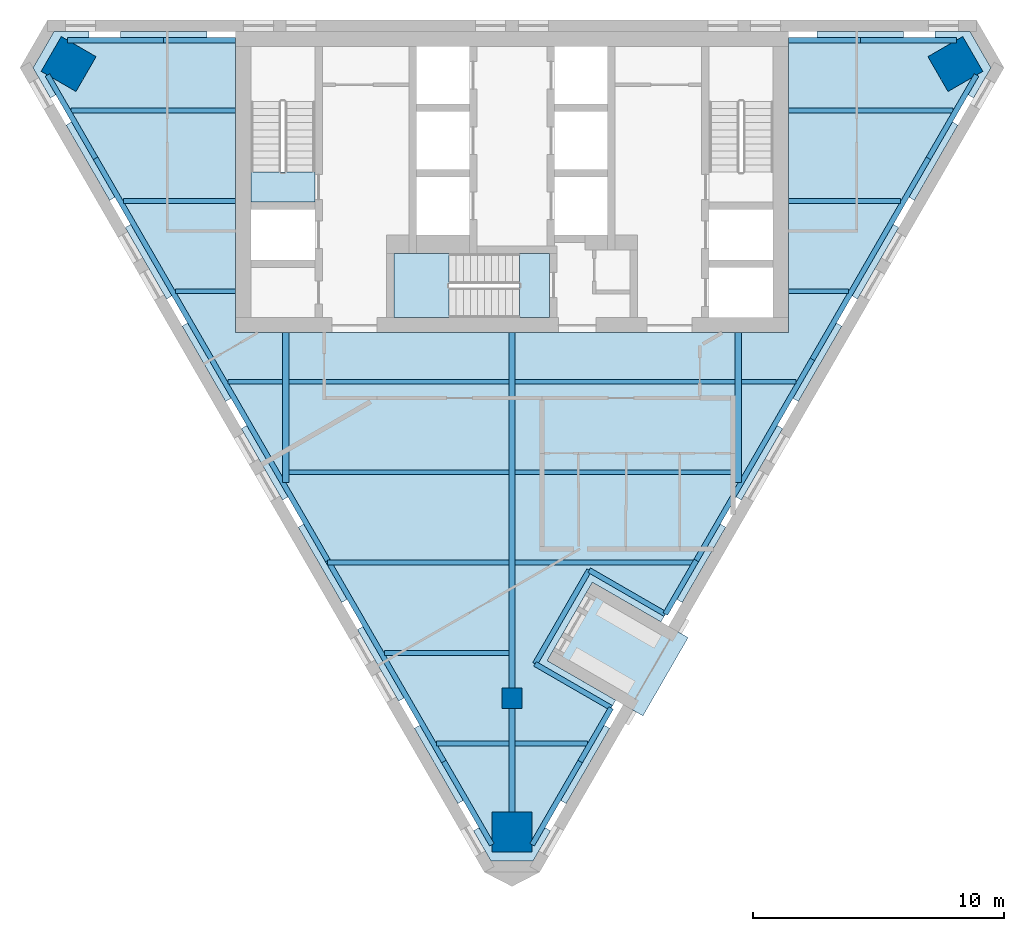
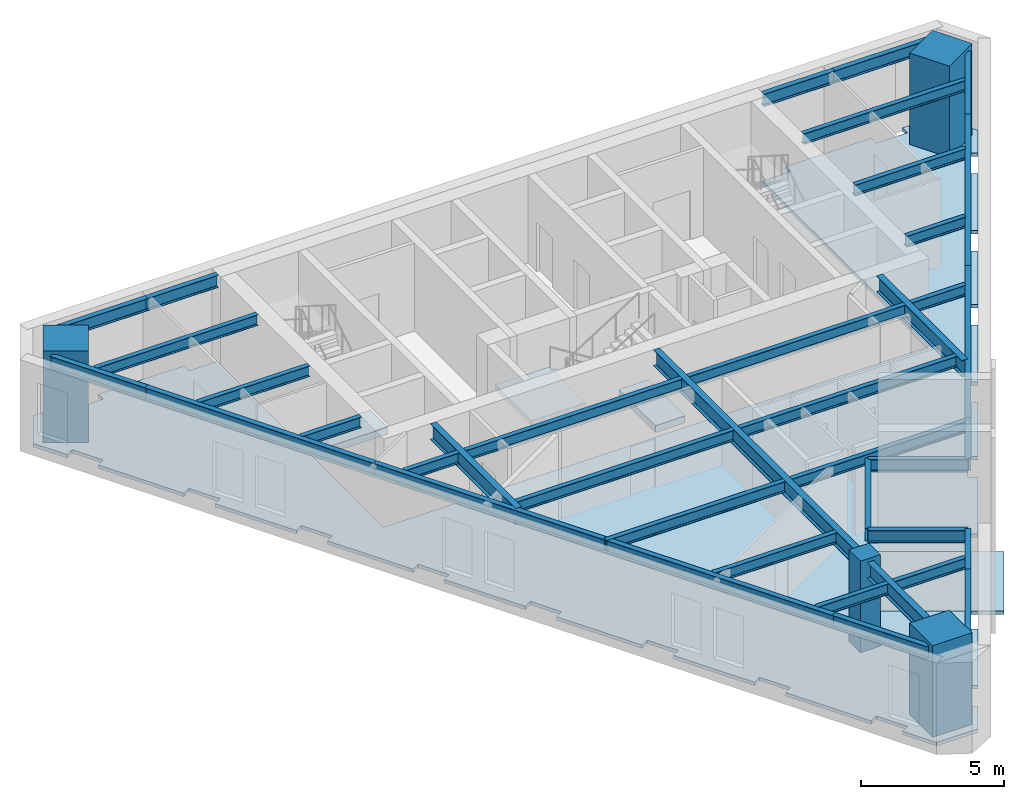
# One storey, part 1 of 6: 39 beams, 5 slabs, 4 columns, 1 element without a shape of its own.
"""IFC4 building model written with IfcOpenShell, lengths in metres."""

from ifc_helpers import new_model, si_unit, direction, frame, origin, origin_2d, place, context, subcontext, project, spatial, polyline, rectangle, i_section, outline, extrude, material, layer, layer_set, material_profile, profile_set, type_object, element, aggregate, save


model = new_model("IFC4")

# Units and contexts
model_context = context("Model", 3, precision=1e-05, world=origin(), true_north=direction((0.0, 1.0)))
body_context = subcontext(model_context, "Body", "Model", "MODEL_VIEW")
ifc_project = project(units=[si_unit("LENGTHUNIT", "METRE"), si_unit("AREAUNIT", "SQUARE_METRE"), si_unit("VOLUMEUNIT", "CUBIC_METRE"), si_unit("PLANEANGLEUNIT", "RADIAN"), si_unit("MASSUNIT", "GRAM", prefix="KILO")], contexts=[model_context])

# Site, building, storey
site_placement = place(None, origin())
site = spatial("IfcSite", under=ifc_project, at=site_placement, CompositionType="ELEMENT")
building_placement = place(site_placement, origin())
building = spatial("IfcBuilding", under=site, at=building_placement, Name="Aloe Facet Convention Tower", CompositionType="ELEMENT")
storey_placement = place(building_placement, frame((0.0, 0.0, 273.800048828125)))
storey = spatial("IfcBuildingStorey", under=building, at=storey_placement, Name="L67", CompositionType="ELEMENT", Elevation=273.800048828125)

# Columns
ifc_material_1 = material(Name="Concrete C70/85", Category="concrete")
ifc_material_profile_1 = material_profile(ifc_material_1, rectangle(XDim=0.800048828125, YDim=0.800048828125, at=origin_2d()), Name="SF-GC-Z5")
ifc_profile_set_1 = profile_set([ifc_material_profile_1], Name="Concrete C70/85")
column_type_1 = type_object("IfcColumnType", Name="SF-GC-Z5", PredefinedType="COLUMN", material=ifc_profile_set_1)
column_placement = place(storey_placement, frame((80.0, 108.0, 0.0), z_axis=(0.0, 0.0, 1.0), x_axis=(1.0, 0.0, 0.0)))
element("IfcColumn", 1, at=column_placement, inside=storey, type_object=column_type_1, Name="Gravity column GC-Z5-9D", PredefinedType="COLUMN", context=body_context, shape_type="SweptSolid", body=[
    extrude(rectangle(XDim=0.800048828125, YDim=0.800048828125, at=origin_2d()), origin(), (0.0, 0.0, 1.0), 3.89990234375),
])
ifc_material_2 = material(Name="Concrete C80/95", Category="concrete")
ifc_material_profile_2 = material_profile(ifc_material_2, rectangle(XDim=1.60009765625, YDim=1.60009765625, at=origin_2d()), Name="STW-MC-Z5")
ifc_profile_set_2 = profile_set([ifc_material_profile_2], Name="Concrete C80/95")
column_type_2 = type_object("IfcColumnType", Name="STW-MC-Z5", PredefinedType="COLUMN", material=ifc_profile_set_2)
for number, where, z_axis, x_axis, name in (
    (2, (97.650634765625, 133.247314453125, 0.0), (0.0, 0.0, 1.0), (-0.5, 0.866025403784, 0.0), "Mega-column MC-NE-L67"),
    (3, (62.349365234375, 133.247314453125, 0.0), (0.0, 0.0, 1.0), (-0.5, -0.866025403784, 0.0), "Mega-column MC-NW-L67"),
    (4, (80.0, 102.67578125, 0.0), (0.0, 0.0, 1.0), (1.0, 0.0, 0.0), "Mega-column MC-S-L67"),
):
    element("IfcColumn", number, at=place(storey_placement, frame(where, z_axis=z_axis, x_axis=x_axis)), inside=storey, type_object=column_type_2, Name=name, PredefinedType="COLUMN", context=body_context, shape_type="SweptSolid", body=[
        extrude(rectangle(XDim=1.60009765625, YDim=1.60009765625, at=origin_2d()), origin(), (0.0, 0.0, 1.0), 3.89990234375),
    ])

# Beams
ifc_material_3 = material(Name="Steel S355", Category="steel")
ifc_material_profile_3 = material_profile(ifc_material_3, i_section(OverallWidth=0.19140625, OverallDepth=0.4599609375, WebThickness=0.010009765625, FlangeThickness=0.01611328125, FilletRadius=0.01025390625, at=origin_2d()), Name="UB 457x191x82")
ifc_profile_set_3 = profile_set([ifc_material_profile_3], Name="Steel S355")
beam_type_1 = type_object("IfcBeamType", Name="SF-B-UB457x191x82", PredefinedType="BEAM", material=ifc_profile_set_3)
beam_1_placement = place(storey_placement, frame((62.452392578125, 131.39990234375, 3.52001953125), z_axis=(1.0, 0.0, 0.0), x_axis=(0.0, 1.0, 0.0)))
element("IfcBeam", 5, at=beam_1_placement, inside=storey, type_object=beam_type_1, Name="Floor beam FB-Z5H-023", PredefinedType="BEAM", context=body_context, shape_type="SweptSolid", body=[
    extrude(i_section(OverallWidth=0.19140625, OverallDepth=0.4599609375, WebThickness=0.010009765625, FlangeThickness=0.01611328125, FilletRadius=0.01025390625, at=origin_2d()), origin(), (0.0, 0.0, 1.0), 6.547607421875),
])
beam_2_placement = place(storey_placement, frame((64.53076171875, 127.800048828125, 3.52001953125), z_axis=(1.0, 0.0, 0.0), x_axis=(0.0, 1.0, 0.0)))
element("IfcBeam", 6, at=beam_2_placement, inside=storey, type_object=beam_type_1, Name="Floor beam FB-Z5H-024", PredefinedType="BEAM", context=body_context, shape_type="SweptSolid", body=[
    extrude(i_section(OverallWidth=0.19140625, OverallDepth=0.4599609375, WebThickness=0.010009765625, FlangeThickness=0.01611328125, FilletRadius=0.01025390625, at=origin_2d()), origin(), (0.0, 0.0, 1.0), 4.46923828125),
])
beam_3_placement = place(storey_placement, frame((66.609130859375, 124.199951171875, 3.52001953125), z_axis=(1.0, 0.0, 0.0), x_axis=(0.0, 1.0, 0.0)))
element("IfcBeam", 7, at=beam_3_placement, inside=storey, type_object=beam_type_1, Name="Floor beam FB-Z5H-025", PredefinedType="BEAM", context=body_context, shape_type="SweptSolid", body=[
    extrude(i_section(OverallWidth=0.19140625, OverallDepth=0.4599609375, WebThickness=0.010009765625, FlangeThickness=0.01611328125, FilletRadius=0.01025390625, at=origin_2d()), origin(), (0.0, 0.0, 1.0), 2.390869140625),
])
beam_4_placement = place(storey_placement, frame((68.687744140625, 120.60009765625, 3.52001953125), z_axis=(1.0, 0.0, 0.0), x_axis=(0.0, 1.0, 0.0)))
element("IfcBeam", 8, at=beam_4_placement, inside=storey, type_object=beam_type_1, Name="Floor beam FB-Z5H-026", PredefinedType="BEAM", context=body_context, shape_type="SweptSolid", body=[
    extrude(i_section(OverallWidth=0.19140625, OverallDepth=0.4599609375, WebThickness=0.010009765625, FlangeThickness=0.01611328125, FilletRadius=0.01025390625, at=origin_2d()), origin(), (0.0, 0.0, 1.0), 2.185791015625),
])
for number, where, z_axis, x_axis, name in (
    (9, (71.12646484375, 117.0, 3.52001953125), (1.0, 0.0, 0.0), (0.0, 1.0, 0.0), "Floor beam FB-Z5H-027"),
    (10, (71.12646484375, 120.60009765625, 3.52001953125), (1.0, 0.0, 0.0), (0.0, 1.0, 0.0), "Floor beam FB-Z5H-028"),
):
    element("IfcBeam", number, at=place(storey_placement, frame(where, z_axis=z_axis, x_axis=x_axis)), inside=storey, type_object=beam_type_1, Name=name, PredefinedType="BEAM", context=body_context, shape_type="SweptSolid", body=[
        extrude(i_section(OverallWidth=0.19140625, OverallDepth=0.4599609375, WebThickness=0.010009765625, FlangeThickness=0.01611328125, FilletRadius=0.01025390625, at=origin_2d()), origin(), (0.0, 0.0, 1.0), 8.7470703125),
    ])
beam_5_placement = place(storey_placement, frame((72.66455078125, 113.39990234375, 3.52001953125), z_axis=(1.0, 0.0, 0.0), x_axis=(0.0, 1.0, 0.0)))
element("IfcBeam", 11, at=beam_5_placement, inside=storey, type_object=beam_type_1, Name="Floor beam FB-Z5H-029", PredefinedType="BEAM", context=body_context, shape_type="SweptSolid", body=[
    extrude(i_section(OverallWidth=0.19140625, OverallDepth=0.4599609375, WebThickness=0.010009765625, FlangeThickness=0.01611328125, FilletRadius=0.01025390625, at=origin_2d()), origin(), (0.0, 0.0, 1.0), 7.208984375),
])
beam_6_placement = place(storey_placement, frame((74.923095703125, 109.800048828125, 3.52001953125), z_axis=(1.0, 0.0, 0.0), x_axis=(0.0, 1.0, 0.0)))
element("IfcBeam", 12, at=beam_6_placement, inside=storey, type_object=beam_type_1, Name="Floor beam FB-Z5H-030", PredefinedType="BEAM", context=body_context, shape_type="SweptSolid", body=[
    extrude(i_section(OverallWidth=0.19140625, OverallDepth=0.4599609375, WebThickness=0.010009765625, FlangeThickness=0.01611328125, FilletRadius=0.01025390625, at=origin_2d()), origin(), (0.0, 0.0, 1.0), 4.950439453125),
])
for number, where, z_axis, x_axis, name in (
    (13, (77.00146484375, 106.199951171875, 3.52001953125), (1.0, 0.0, 0.0), (0.0, 1.0, 0.0), "Floor beam FB-Z5H-031"),
    (14, (80.12646484375, 106.199951171875, 3.52001953125), (1.0, 0.0, 0.0), (0.0, 1.0, 0.0), "Floor beam FB-Z5H-032"),
):
    element("IfcBeam", number, at=place(storey_placement, frame(where, z_axis=z_axis, x_axis=x_axis)), inside=storey, type_object=beam_type_1, Name=name, PredefinedType="BEAM", context=body_context, shape_type="SweptSolid", body=[
        extrude(i_section(OverallWidth=0.19140625, OverallDepth=0.4599609375, WebThickness=0.010009765625, FlangeThickness=0.01611328125, FilletRadius=0.01025390625, at=origin_2d()), origin(), (0.0, 0.0, 1.0), 2.8720703125),
    ])
beam_7_placement = place(storey_placement, frame((80.12646484375, 113.39990234375, 3.52001953125), z_axis=(1.0, 0.0, 0.0), x_axis=(0.0, 1.0, 0.0)))
element("IfcBeam", 15, at=beam_7_placement, inside=storey, type_object=beam_type_1, Name="Floor beam FB-Z5H-033", PredefinedType="BEAM", context=body_context, shape_type="SweptSolid", body=[
    extrude(i_section(OverallWidth=0.19140625, OverallDepth=0.4599609375, WebThickness=0.010009765625, FlangeThickness=0.01611328125, FilletRadius=0.01025390625, at=origin_2d()), origin(), (0.0, 0.0, 1.0), 7.208984375),
])
for number, where, z_axis, x_axis, name in (
    (16, (80.12646484375, 117.0, 3.52001953125), (1.0, 0.0, 0.0), (0.0, 1.0, 0.0), "Floor beam FB-Z5H-034"),
    (17, (80.12646484375, 120.60009765625, 3.52001953125), (1.0, 0.0, 0.0), (0.0, 1.0, 0.0), "Floor beam FB-Z5H-035"),
):
    element("IfcBeam", number, at=place(storey_placement, frame(where, z_axis=z_axis, x_axis=x_axis)), inside=storey, type_object=beam_type_1, Name=name, PredefinedType="BEAM", context=body_context, shape_type="SweptSolid", body=[
        extrude(i_section(OverallWidth=0.19140625, OverallDepth=0.4599609375, WebThickness=0.010009765625, FlangeThickness=0.01611328125, FilletRadius=0.01025390625, at=origin_2d()), origin(), (0.0, 0.0, 1.0), 8.7470703125),
    ])
beam_8_placement = place(storey_placement, frame((89.12646484375, 120.60009765625, 3.52001953125), z_axis=(1.0, 0.0, 0.0), x_axis=(0.0, 1.0, 0.0)))
element("IfcBeam", 18, at=beam_8_placement, inside=storey, type_object=beam_type_1, Name="Floor beam FB-Z5H-036", PredefinedType="BEAM", context=body_context, shape_type="SweptSolid", body=[
    extrude(i_section(OverallWidth=0.19140625, OverallDepth=0.4599609375, WebThickness=0.010009765625, FlangeThickness=0.01611328125, FilletRadius=0.01025390625, at=origin_2d()), origin(), (0.0, 0.0, 1.0), 2.185791015625),
])
beam_9_placement = place(storey_placement, frame((91.0, 124.199951171875, 3.52001953125), z_axis=(1.0, 0.0, 0.0), x_axis=(0.0, 1.0, 0.0)))
element("IfcBeam", 19, at=beam_9_placement, inside=storey, type_object=beam_type_1, Name="Floor beam FB-Z5H-037", PredefinedType="BEAM", context=body_context, shape_type="SweptSolid", body=[
    extrude(i_section(OverallWidth=0.19140625, OverallDepth=0.4599609375, WebThickness=0.010009765625, FlangeThickness=0.01611328125, FilletRadius=0.01025390625, at=origin_2d()), origin(), (0.0, 0.0, 1.0), 2.390869140625),
])
beam_10_placement = place(storey_placement, frame((91.0, 127.800048828125, 3.52001953125), z_axis=(1.0, 0.0, 0.0), x_axis=(0.0, 1.0, 0.0)))
element("IfcBeam", 20, at=beam_10_placement, inside=storey, type_object=beam_type_1, Name="Floor beam FB-Z5H-038", PredefinedType="BEAM", context=body_context, shape_type="SweptSolid", body=[
    extrude(i_section(OverallWidth=0.19140625, OverallDepth=0.4599609375, WebThickness=0.010009765625, FlangeThickness=0.01611328125, FilletRadius=0.01025390625, at=origin_2d()), origin(), (0.0, 0.0, 1.0), 4.46923828125),
])
beam_11_placement = place(storey_placement, frame((91.0, 131.39990234375, 3.52001953125), z_axis=(1.0, 0.0, 0.0), x_axis=(0.0, 1.0, 0.0)))
element("IfcBeam", 21, at=beam_11_placement, inside=storey, type_object=beam_type_1, Name="Floor beam FB-Z5H-039", PredefinedType="BEAM", context=body_context, shape_type="SweptSolid", body=[
    extrude(i_section(OverallWidth=0.19140625, OverallDepth=0.4599609375, WebThickness=0.010009765625, FlangeThickness=0.01611328125, FilletRadius=0.01025390625, at=origin_2d()), origin(), (0.0, 0.0, 1.0), 6.547607421875),
])
ifc_material_4 = material(Name="Steel S355", Category="steel")
ifc_material_profile_4 = material_profile(ifc_material_4, i_section(OverallWidth=0.209228515625, OverallDepth=0.533203125, WebThickness=0.010009765625, FlangeThickness=0.015625, FilletRadius=0.0126953125, at=origin_2d()), Name="UB 533x210x92")
ifc_profile_set_4 = profile_set([ifc_material_profile_4], Name="Steel S355")
beam_type_2 = type_object("IfcBeamType", Name="SF-B-UB533x210x92", PredefinedType="BEAM", material=ifc_profile_set_4)
for number, where, z_axis, x_axis, name in (
    (22, (62.3076171875, 134.1953125, 3.4833984375), (1.0, 0.0, 0.0), (0.0, 1.0, 0.0), "Floor beam FB-Z5H-001"),
    (23, (63.42138671875, 129.49462890625, 3.4833984375), (-0.499959852221, 0.866048581874, 0.0), (-0.866048581874, -0.499959852221, 0.0), "Floor beam FB-Z5H-002"),
):
    element("IfcBeam", number, at=place(storey_placement, frame(where, z_axis=z_axis, x_axis=x_axis)), inside=storey, type_object=beam_type_2, Name=name, PredefinedType="BEAM", context=body_context, shape_type="SweptSolid", body=[
        extrude(i_section(OverallWidth=0.209228515625, OverallDepth=0.533203125, WebThickness=0.010009765625, FlangeThickness=0.015625, FilletRadius=0.0126953125, at=origin_2d()), origin(), (0.0, 0.0, 1.0), 3.827880859375),
    ])
beam_12_placement = place(storey_placement, frame((66.135498046875, 134.1953125, 3.4833984375), z_axis=(1.0, 0.0, 0.0), x_axis=(0.0, 1.0, 0.0)))
element("IfcBeam", 24, at=beam_12_placement, inside=storey, type_object=beam_type_2, Name="Floor beam FB-Z5H-003", PredefinedType="BEAM", context=body_context, shape_type="SweptSolid", body=[
    extrude(i_section(OverallWidth=0.209228515625, OverallDepth=0.533203125, WebThickness=0.010009765625, FlangeThickness=0.015625, FilletRadius=0.0126953125, at=origin_2d()), origin(), (0.0, 0.0, 1.0), 2.864501953125),
])
beam_13_placement = place(storey_placement, frame((68.04296875, 121.489990234375, 3.4833984375), z_axis=(-0.500008255345, 0.866020637506, 0.0), x_axis=(-0.866020637506, -0.500008255345, 0.0)))
element("IfcBeam", 25, at=beam_13_placement, inside=storey, type_object=beam_type_2, Name="Floor beam FB-Z5H-004", PredefinedType="BEAM", context=body_context, shape_type="SweptSolid", body=[
    extrude(i_section(OverallWidth=0.209228515625, OverallDepth=0.533203125, WebThickness=0.010009765625, FlangeThickness=0.015625, FilletRadius=0.0126953125, at=origin_2d()), origin(), (0.0, 0.0, 1.0), 9.242919921875),
])
beam_14_placement = place(storey_placement, frame((72.66455078125, 113.485107421875, 3.4833984375), z_axis=(-0.49999681804, 0.866027240882, 0.0), x_axis=(-0.866027240882, -0.49999681804, 0.0)))
element("IfcBeam", 26, at=beam_14_placement, inside=storey, type_object=beam_type_2, Name="Floor beam FB-Z5H-005", PredefinedType="BEAM", context=body_context, shape_type="SweptSolid", body=[
    extrude(i_section(OverallWidth=0.209228515625, OverallDepth=0.533203125, WebThickness=0.010009765625, FlangeThickness=0.015625, FilletRadius=0.0126953125, at=origin_2d()), origin(), (0.0, 0.0, 1.0), 9.2431640625),
])
beam_15_placement = place(storey_placement, frame((77.2861328125, 105.48046875, 3.4833984375), z_axis=(-0.500008255345, 0.866020637506, 0.0), x_axis=(-0.866020637506, -0.500008255345, 0.0)))
element("IfcBeam", 27, at=beam_15_placement, inside=storey, type_object=beam_type_2, Name="Floor beam FB-Z5H-006", PredefinedType="BEAM", context=body_context, shape_type="SweptSolid", body=[
    extrude(i_section(OverallWidth=0.209228515625, OverallDepth=0.533203125, WebThickness=0.010009765625, FlangeThickness=0.015625, FilletRadius=0.0126953125, at=origin_2d()), origin(), (0.0, 0.0, 1.0), 9.242919921875),
])
beam_16_placement = place(storey_placement, frame((79.199951171875, 102.16552734375, 3.4833984375), z_axis=(-0.499987468925, 0.866032638483, 0.0), x_axis=(-0.866032638483, -0.499987468925, 0.0)))
element("IfcBeam", 28, at=beam_16_placement, inside=storey, type_object=beam_type_2, Name="Floor beam FB-Z5H-007", PredefinedType="BEAM", context=body_context, shape_type="SweptSolid", body=[
    extrude(i_section(OverallWidth=0.209228515625, OverallDepth=0.533203125, WebThickness=0.010009765625, FlangeThickness=0.015625, FilletRadius=0.0126953125, at=origin_2d()), origin(), (0.0, 0.0, 1.0), 3.82763671875),
])
beam_17_placement = place(storey_placement, frame((80.916259765625, 109.366943359375, 3.4833984375), z_axis=(0.866036909293, -0.499980071345, 0.0), x_axis=(0.499980071345, 0.866036909293, 0.0)))
element("IfcBeam", 29, at=beam_17_placement, inside=storey, type_object=beam_type_2, Name="Floor beam FB-Z5H-008", PredefinedType="BEAM", context=body_context, shape_type="SweptSolid", body=[
    extrude(i_section(OverallWidth=0.209228515625, OverallDepth=0.533203125, WebThickness=0.010009765625, FlangeThickness=0.015625, FilletRadius=0.0126953125, at=origin_2d()), origin(), (0.0, 0.0, 1.0), 3.500244140625),
])
beam_18_placement = place(storey_placement, frame((82.7138671875, 105.48046875, 3.4833984375), z_axis=(-0.499987468925, -0.866032638483, 0.0), x_axis=(0.866032638483, -0.499987468925, 0.0)))
element("IfcBeam", 30, at=beam_18_placement, inside=storey, type_object=beam_type_2, Name="Floor beam FB-Z5H-009", PredefinedType="BEAM", context=body_context, shape_type="SweptSolid", body=[
    extrude(i_section(OverallWidth=0.209228515625, OverallDepth=0.533203125, WebThickness=0.010009765625, FlangeThickness=0.015625, FilletRadius=0.0126953125, at=origin_2d()), origin(), (0.0, 0.0, 1.0), 3.82763671875),
])
beam_19_placement = place(storey_placement, frame((83.07080078125, 113.098876953125, 3.4833984375), z_axis=(-0.49998401396, -0.866034633132, 0.0), x_axis=(0.866034633132, -0.49998401396, 0.0)))
element("IfcBeam", 31, at=beam_19_placement, inside=storey, type_object=beam_type_2, Name="Floor beam FB-Z5H-010", PredefinedType="BEAM", context=body_context, shape_type="SweptSolid", body=[
    extrude(i_section(OverallWidth=0.209228515625, OverallDepth=0.533203125, WebThickness=0.010009765625, FlangeThickness=0.015625, FilletRadius=0.0126953125, at=origin_2d()), origin(), (0.0, 0.0, 1.0), 4.309326171875),
])
beam_20_placement = place(storey_placement, frame((83.947509765625, 107.616943359375, 3.4833984375), z_axis=(-0.500045109837, -0.865999358041, 0.0), x_axis=(0.865999358041, -0.500045109837, 0.0)))
element("IfcBeam", 32, at=beam_20_placement, inside=storey, type_object=beam_type_2, Name="Floor beam FB-Z5H-011", PredefinedType="BEAM", context=body_context, shape_type="SweptSolid", body=[
    extrude(i_section(OverallWidth=0.209228515625, OverallDepth=0.533203125, WebThickness=0.010009765625, FlangeThickness=0.015625, FilletRadius=0.0126953125, at=origin_2d()), origin(), (0.0, 0.0, 1.0), 2.467041015625),
])
beam_21_placement = place(storey_placement, frame((86.10205078125, 111.348876953125, 3.4833984375), z_axis=(-0.866036909293, 0.499980071345, 0.0), x_axis=(-0.499980071345, -0.866036909293, 0.0)))
element("IfcBeam", 33, at=beam_21_placement, inside=storey, type_object=beam_type_2, Name="Floor beam FB-Z5H-012", PredefinedType="BEAM", context=body_context, shape_type="SweptSolid", body=[
    extrude(i_section(OverallWidth=0.209228515625, OverallDepth=0.533203125, WebThickness=0.010009765625, FlangeThickness=0.015625, FilletRadius=0.0126953125, at=origin_2d()), origin(), (0.0, 0.0, 1.0), 3.500244140625),
])
beam_22_placement = place(storey_placement, frame((87.33544921875, 113.485107421875, 3.4833984375), z_axis=(-0.500013743233, -0.86601746898, 0.0), x_axis=(0.86601746898, -0.500013743233, 0.0)))
element("IfcBeam", 34, at=beam_22_placement, inside=storey, type_object=beam_type_2, Name="Floor beam FB-Z5H-013", PredefinedType="BEAM", context=body_context, shape_type="SweptSolid", body=[
    extrude(i_section(OverallWidth=0.209228515625, OverallDepth=0.533203125, WebThickness=0.010009765625, FlangeThickness=0.015625, FilletRadius=0.0126953125, at=origin_2d()), origin(), (0.0, 0.0, 1.0), 2.466796875),
])
beam_23_placement = place(storey_placement, frame((91.0, 134.1953125, 3.4833984375), z_axis=(1.0, 0.0, 0.0), x_axis=(0.0, 1.0, 0.0)))
element("IfcBeam", 35, at=beam_23_placement, inside=storey, type_object=beam_type_2, Name="Floor beam FB-Z5H-014", PredefinedType="BEAM", context=body_context, shape_type="SweptSolid", body=[
    extrude(i_section(OverallWidth=0.209228515625, OverallDepth=0.533203125, WebThickness=0.010009765625, FlangeThickness=0.015625, FilletRadius=0.0126953125, at=origin_2d()), origin(), (0.0, 0.0, 1.0), 2.864501953125),
])
beam_24_placement = place(storey_placement, frame((91.95703125, 121.489990234375, 3.4833984375), z_axis=(-0.49999681804, -0.866027240882, 0.0), x_axis=(0.866027240882, -0.49999681804, 0.0)))
element("IfcBeam", 36, at=beam_24_placement, inside=storey, type_object=beam_type_2, Name="Floor beam FB-Z5H-015", PredefinedType="BEAM", context=body_context, shape_type="SweptSolid", body=[
    extrude(i_section(OverallWidth=0.209228515625, OverallDepth=0.533203125, WebThickness=0.010009765625, FlangeThickness=0.015625, FilletRadius=0.0126953125, at=origin_2d()), origin(), (0.0, 0.0, 1.0), 9.2431640625),
])
beam_25_placement = place(storey_placement, frame((93.864501953125, 134.1953125, 3.4833984375), z_axis=(1.0, 0.0, 0.0), x_axis=(0.0, 1.0, 0.0)))
element("IfcBeam", 37, at=beam_25_placement, inside=storey, type_object=beam_type_2, Name="Floor beam FB-Z5H-016", PredefinedType="BEAM", context=body_context, shape_type="SweptSolid", body=[
    extrude(i_section(OverallWidth=0.209228515625, OverallDepth=0.533203125, WebThickness=0.010009765625, FlangeThickness=0.015625, FilletRadius=0.0126953125, at=origin_2d()), origin(), (0.0, 0.0, 1.0), 3.827880859375),
])
beam_26_placement = place(storey_placement, frame((96.57861328125, 129.49462890625, 3.4833984375), z_axis=(-0.500008255345, -0.866020637506, 0.0), x_axis=(0.866020637506, -0.500008255345, 0.0)))
element("IfcBeam", 38, at=beam_26_placement, inside=storey, type_object=beam_type_2, Name="Floor beam FB-Z5H-017", PredefinedType="BEAM", context=body_context, shape_type="SweptSolid", body=[
    extrude(i_section(OverallWidth=0.209228515625, OverallDepth=0.533203125, WebThickness=0.010009765625, FlangeThickness=0.015625, FilletRadius=0.0126953125, at=origin_2d()), origin(), (0.0, 0.0, 1.0), 9.242919921875),
])
beam_27_placement = place(storey_placement, frame((98.492431640625, 132.809814453125, 3.4833984375), z_axis=(-0.499959852221, -0.866048581874, 0.0), x_axis=(0.866048581874, -0.499959852221, 0.0)))
element("IfcBeam", 39, at=beam_27_placement, inside=storey, type_object=beam_type_2, Name="Floor beam FB-Z5H-018", PredefinedType="BEAM", context=body_context, shape_type="SweptSolid", body=[
    extrude(i_section(OverallWidth=0.209228515625, OverallDepth=0.533203125, WebThickness=0.010009765625, FlangeThickness=0.015625, FilletRadius=0.0126953125, at=origin_2d()), origin(), (0.0, 0.0, 1.0), 3.827880859375),
])
ifc_material_5 = material(Name="Steel S355", Category="steel")
ifc_material_profile_5 = material_profile(ifc_material_5, i_section(OverallWidth=0.2529296875, OverallDepth=0.677978515625, WebThickness=0.01171875, FlangeThickness=0.01611328125, FilletRadius=0.01513671875, at=origin_2d()), Name="UB 686x254x125")
ifc_profile_set_5 = profile_set([ifc_material_profile_5], Name="Steel S355")
beam_type_3 = type_object("IfcBeamType", Name="SF-B-UB686x254x125", PredefinedType="BEAM", material=ifc_profile_set_5)
beam_28_placement = place(storey_placement, frame((71.0, 122.550048828125, 3.4111328125), z_axis=(0.0, -1.0, 0.0), x_axis=(1.0, 0.0, 0.0)))
element("IfcBeam", 40, at=beam_28_placement, inside=storey, type_object=beam_type_3, Name="Floor beam FB-Z5H-019", PredefinedType="BEAM", context=body_context, shape_type="SweptSolid", body=[
    extrude(i_section(OverallWidth=0.2529296875, OverallDepth=0.677978515625, WebThickness=0.01171875, FlangeThickness=0.01611328125, FilletRadius=0.01513671875, at=origin_2d()), origin(), (0.0, 0.0, 1.0), 5.96240234375),
])
beam_29_placement = place(storey_placement, frame((80.0, 107.60009765625, 3.4111328125), z_axis=(0.0, -1.0, 0.0), x_axis=(1.0, 0.0, 0.0)))
element("IfcBeam", 41, at=beam_29_placement, inside=storey, type_object=beam_type_3, Name="Floor beam FB-Z5H-020", PredefinedType="BEAM", context=body_context, shape_type="SweptSolid", body=[
    extrude(i_section(OverallWidth=0.2529296875, OverallDepth=0.677978515625, WebThickness=0.01171875, FlangeThickness=0.01611328125, FilletRadius=0.01513671875, at=origin_2d()), origin(), (0.0, 0.0, 1.0), 5.60498046875),
])
beam_30_placement = place(storey_placement, frame((80.0, 122.550048828125, 3.4111328125), z_axis=(0.0, -1.0, 0.0), x_axis=(1.0, 0.0, 0.0)))
element("IfcBeam", 42, at=beam_30_placement, inside=storey, type_object=beam_type_3, Name="Floor beam FB-Z5H-021", PredefinedType="BEAM", context=body_context, shape_type="SweptSolid", body=[
    extrude(i_section(OverallWidth=0.2529296875, OverallDepth=0.677978515625, WebThickness=0.01171875, FlangeThickness=0.01611328125, FilletRadius=0.01513671875, at=origin_2d()), origin(), (0.0, 0.0, 1.0), 14.150146484375),
])
beam_31_placement = place(storey_placement, frame((89.0, 122.550048828125, 3.4111328125), z_axis=(0.0, -1.0, 0.0), x_axis=(1.0, 0.0, 0.0)))
element("IfcBeam", 43, at=beam_31_placement, inside=storey, type_object=beam_type_3, Name="Floor beam FB-Z5H-022", PredefinedType="BEAM", context=body_context, shape_type="SweptSolid", body=[
    extrude(i_section(OverallWidth=0.2529296875, OverallDepth=0.677978515625, WebThickness=0.01171875, FlangeThickness=0.01611328125, FilletRadius=0.01513671875, at=origin_2d()), origin(), (0.0, 0.0, 1.0), 5.96240234375),
])

# Slabs
ifc_material_6 = material(Name="Concrete C50/60", Category="concrete")
ifc_layer_1 = layer(ifc_material_6, 0.300048828125)
ifc_layer_set_1 = layer_set([ifc_layer_1], Name="CR-S-FLOOR300-C5060")
slab_type_1 = type_object("IfcSlabType", Name="CR-S-FLOOR300-C5060", PredefinedType="FLOOR", material=ifc_layer_set_1)
slab_1_placement = place(storey_placement, frame((0.0, 0.0, -0.300048828125)))
element("IfcSlab", 44, at=slab_1_placement, inside=storey, type_object=slab_type_1, Name="Stair landing floor L67", PredefinedType="FLOOR", context=body_context, shape_type="SweptSolid", body=[
    extrude(outline(polyline([(72.14990234375, 127.75), (72.14990234375, 128.951171875), (69.60009765625, 128.951171875), (69.60009765625, 127.75), (72.14990234375, 127.75)])), origin(), (0.0, 0.0, 1.0), 0.300048828125),
])
slab_2_placement = place(storey_placement, frame((0.0, 0.0, -0.300048828125)))
element("IfcSlab", 45, at=slab_2_placement, inside=storey, type_object=slab_type_1, Name="Stair landing floor L67", PredefinedType="FLOOR", context=body_context, shape_type="SweptSolid", body=[
    extrude(outline(polyline([(81.5, 125.699951171875), (80.298828125, 125.699951171875), (80.298828125, 123.14990234375), (81.5, 123.14990234375), (81.5, 125.699951171875)])), origin(), (0.0, 0.0, 1.0), 0.300048828125),
])

# Stair, slab
ifc_material_7 = material(Name="Concrete C50/60", Category="concrete")
stair_type = type_object("IfcStairType", Name="CR-ST-22R", PredefinedType="HALF_TURN_STAIR", material=ifc_material_7)
stair_placement = place(storey_placement, origin())
stair = element("IfcStair", 46, at=stair_placement, inside=storey, type_object=stair_type, Name="L67 Protected exit stair ST3", PredefinedType="HALF_TURN_STAIR")
ifc_material_8 = material(Name="Concrete C50/60", Category="concrete")
ifc_layer_2 = layer(ifc_material_8, 0.199951171875)
ifc_layer_set_2 = layer_set([ifc_layer_2], Name="CR-SL-LANDING")
slab_type_2 = type_object("IfcSlabType", Name="CR-SL-LANDING", PredefinedType="LANDING", material=ifc_layer_set_2)
slab_3_placement = place(storey_placement, frame((0.0, 0.0, 1.75)))
slab_3 = element("IfcSlab", 47, at=slab_3_placement, type_object=slab_type_2, Name="ST3 landing 1", PredefinedType="LANDING", context=body_context, shape_type="SweptSolid", body=[
    extrude(outline(polyline([(77.5, 125.699951171875), (75.300048828125, 125.699951171875), (75.300048828125, 123.14990234375), (77.5, 123.14990234375), (77.5, 125.699951171875)])), origin(), (0.0, 0.0, 1.0), 0.199951171875),
])
aggregate(stair, [slab_3])

# Slabs
ifc_material_9 = material(Name="Concrete C35/45", Category="concrete")
ifc_layer_3 = layer(ifc_material_9, 0.14990234375)
ifc_layer_set_3 = layer_set([ifc_layer_3], Name="SF-FS-150")
slab_type_3 = type_object("IfcSlabType", Name="SF-FS-150", PredefinedType="FLOOR", material=ifc_layer_set_3)
slab_4_placement = place(storey_placement, frame((0.0, 0.0, -0.150146484375)))
element("IfcSlab", 48, at=slab_4_placement, inside=storey, type_object=slab_type_3, Name="Floor slab L67-1", PredefinedType="FLOOR", context=body_context, shape_type="SweptSolid", body=[
    extrude(outline(polyline([(82.15625, 103.805419921875), (81.853271484375, 103.980224609375), (81.2275390625, 102.896728515625), (81.530517578125, 102.7216796875), (80.840087890625, 101.52587890625), (79.159912109375, 101.52587890625), (78.469482421875, 102.7216796875), (78.7724609375, 102.896728515625), (78.146728515625, 103.980224609375), (77.84375, 103.805419921875), (76.114013671875, 106.801025390625), (76.417236328125, 106.97607421875), (75.79150390625, 108.0595703125), (75.488525390625, 107.884521484375), (73.847900390625, 110.726318359375), (74.15087890625, 110.9013671875), (73.525390625, 111.985107421875), (73.22216796875, 111.81005859375), (71.49267578125, 114.805908203125), (71.795654296875, 114.980712890625), (71.170166015625, 116.064453125), (70.866943359375, 115.889404296875), (69.226318359375, 118.731201171875), (69.529296875, 118.90625), (68.90380859375, 119.98974609375), (68.6005859375, 119.814697265625), (66.87109375, 122.810546875), (67.17431640625, 122.985595703125), (66.548583984375, 124.069091796875), (66.24560546875, 123.89404296875), (64.604736328125, 126.73583984375), (64.90771484375, 126.910888671875), (64.2822265625, 127.994384765625), (63.97900390625, 127.819580078125), (62.24951171875, 130.815185546875), (62.552490234375, 130.990234375), (61.927001953125, 132.07373046875), (61.623779296875, 131.898681640625), (60.93359375, 133.0947265625), (61.773681640625, 134.550048828125), (63.154541015625, 134.550048828125), (63.154541015625, 134.199951171875), (64.40576171875, 134.199951171875), (64.40576171875, 134.550048828125), (67.864990234375, 134.550048828125), (67.864990234375, 134.199951171875), (69.0, 134.199951171875), (69.0, 128.050048828125), (69.0, 127.14990234375), (69.0, 125.75), (69.0, 124.85009765625), (69.0, 122.550048828125), (71.85009765625, 122.550048828125), (72.75, 122.550048828125), (74.699951171875, 122.550048828125), (75.60009765625, 122.550048828125), (81.199951171875, 122.550048828125), (82.10009765625, 122.550048828125), (84.39990234375, 122.550048828125), (85.300048828125, 122.550048828125), (87.25, 122.550048828125), (88.14990234375, 122.550048828125), (91.0, 122.550048828125), (91.0, 124.85009765625), (91.0, 125.75), (91.0, 127.14990234375), (91.0, 128.050048828125), (91.0, 134.199951171875), (92.135009765625, 134.199951171875), (92.135009765625, 134.550048828125), (95.59423828125, 134.550048828125), (95.59423828125, 134.199951171875), (96.845458984375, 134.199951171875), (96.845458984375, 134.550048828125), (98.226318359375, 134.550048828125), (99.06640625, 133.0947265625), (98.376220703125, 131.898681640625), (98.072998046875, 132.07373046875), (97.447509765625, 130.990234375), (97.75048828125, 130.815185546875), (96.02099609375, 127.819580078125), (95.7177734375, 127.994384765625), (95.09228515625, 126.910888671875), (95.395263671875, 126.73583984375), (93.75439453125, 123.89404296875), (93.451416015625, 124.069091796875), (92.82568359375, 122.985595703125), (93.12890625, 122.810546875), (91.3994140625, 119.814697265625), (91.09619140625, 119.98974609375), (90.470703125, 118.90625), (90.773681640625, 118.731201171875), (89.133056640625, 115.889404296875), (88.829833984375, 116.064453125), (88.204345703125, 114.980712890625), (88.50732421875, 114.805908203125), (86.77783203125, 111.81005859375), (86.474609375, 111.985107421875), (85.9287109375, 111.039306640625), (83.20068359375, 112.614501953125), (81.400634765625, 109.49658203125), (84.128662109375, 107.921630859375), (83.582763671875, 106.97607421875), (83.885986328125, 106.801025390625), (82.15625, 103.805419921875)]), holes=[polyline([(80.800048828125, 101.875732421875), (80.800048828125, 103.475830078125), (79.199951171875, 103.475830078125), (79.199951171875, 101.875732421875), (80.800048828125, 101.875732421875)]), polyline([(62.056640625, 134.340087890625), (61.256591796875, 132.95458984375), (62.642333984375, 132.154541015625), (63.4423828125, 133.540283203125), (62.056640625, 134.340087890625)]), polyline([(80.39990234375, 107.60009765625), (80.39990234375, 108.39990234375), (79.60009765625, 108.39990234375), (79.60009765625, 107.60009765625), (80.39990234375, 107.60009765625)]), polyline([(98.743408203125, 132.95458984375), (97.943359375, 134.340087890625), (96.5576171875, 133.540283203125), (97.357666015625, 132.154541015625), (98.743408203125, 132.95458984375)])]), origin(), (0.0, 0.0, 1.0), 0.150146484375),
])
ifc_material_10 = material(Name="Concrete C35/45", Category="concrete")
ifc_layer_4 = layer(ifc_material_10, 0.14990234375)
ifc_layer_set_4 = layer_set([ifc_layer_4], Name="SF-TS-150")
slab_type_4 = type_object("IfcSlabType", Name="SF-TS-150", PredefinedType="FLOOR", material=ifc_layer_set_4)
slab_5_placement = place(storey_placement, frame((0.0, 0.0, -0.150146484375)))
element("IfcSlab", 49, at=slab_5_placement, inside=storey, type_object=slab_type_4, Name="Terrace slab T15", PredefinedType="FLOOR", context=body_context, shape_type="SweptSolid", body=[
    extrude(outline(polyline([(85.211181640625, 107.296630859375), (81.400634765625, 109.49658203125), (83.20068359375, 112.614501953125), (87.01123046875, 110.414306640625), (85.211181640625, 107.296630859375)])), origin(), (0.0, 0.0, 1.0), 0.150146484375),
])

save(model, "model.ifc")
